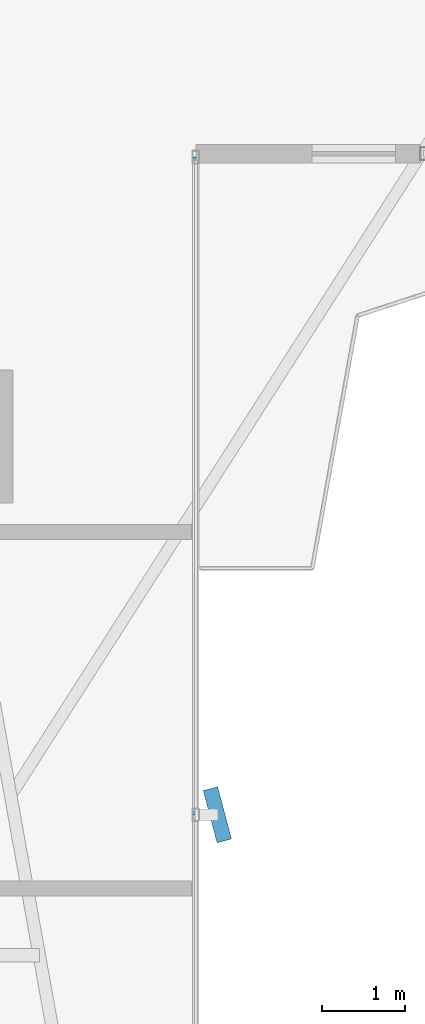
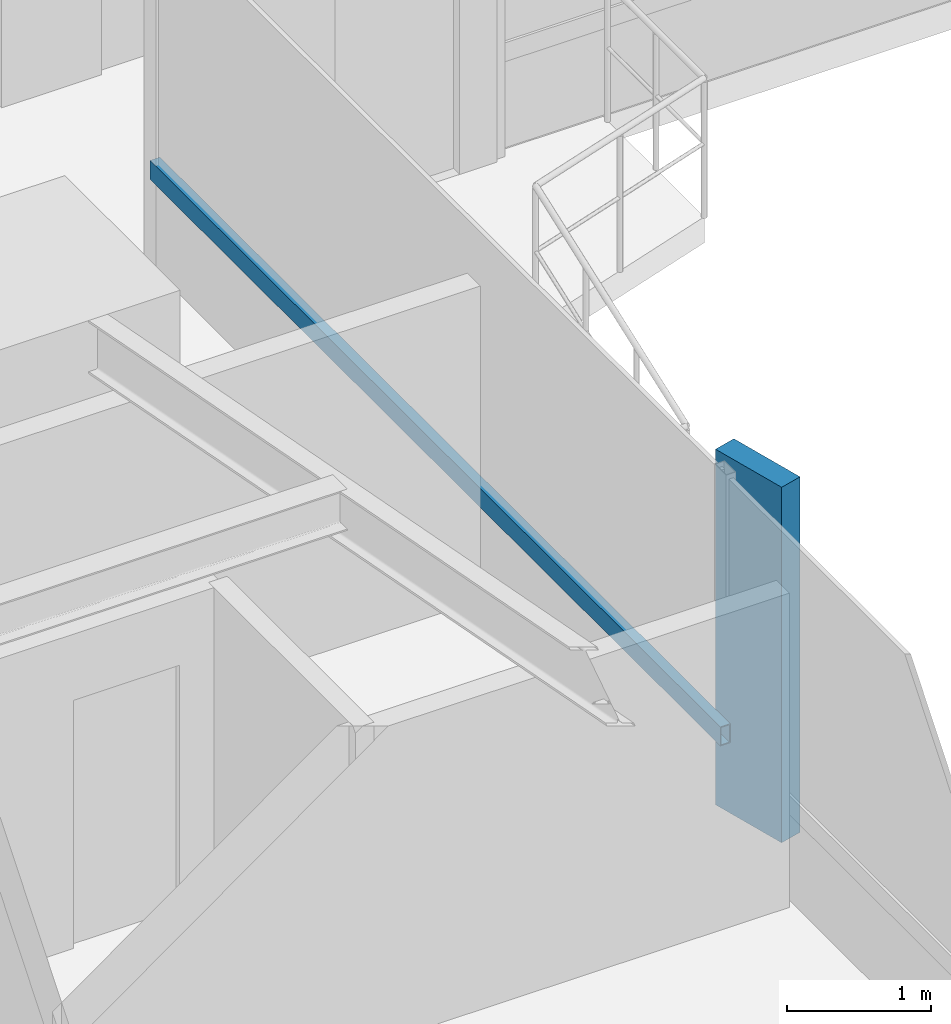
# One storey, part 5 of 25: 2 members, 1 element without a shape of its own.
"""IFC4 building model written with IfcOpenShell, lengths in metres."""

from ifc_helpers import new_model, si_unit, direction, frame, origin, origin_2d, place, context, subcontext, project, spatial, rectangle, hollow_rectangle, extrude, source, transform, mapped, material, material_profile, profile_set, type_object, element, aggregate, save


model = new_model("IFC4")

# Units and contexts
model_context = context("Model", 3, precision=1e-05, world=origin(), true_north=direction((0.0, 1.0)))
body_context = subcontext(model_context, "Body", "Model", "MODEL_VIEW")
ifc_project = project(units=[si_unit("LENGTHUNIT", "METRE"), si_unit("AREAUNIT", "SQUARE_METRE"), si_unit("VOLUMEUNIT", "CUBIC_METRE"), si_unit("PLANEANGLEUNIT", "RADIAN"), si_unit("MASSUNIT", "GRAM", prefix="KILO")], contexts=[model_context])

# Site, building, storey
site_placement = place(None, origin())
site = spatial("IfcSite", under=ifc_project, at=site_placement, CompositionType="ELEMENT")
building_placement = place(site_placement, origin())
building = spatial("IfcBuilding", under=site, at=building_placement, Name="Sahyath Konkavel Grand Hotel", CompositionType="ELEMENT")
storey_placement = place(building_placement, frame((0.0, 0.0, 64.449951171875)))
storey = spatial("IfcBuildingStorey", under=building, at=storey_placement, Name="L17", CompositionType="ELEMENT", Elevation=64.449951171875)

# Curtain wall, members
ifc_material_1 = material(Name="Anodised Bronze Aluminium & Low-E Glazing", Category="aluminium")
curtain_wall_type = type_object("IfcCurtainWallType", Name="CW-ZONE1", PredefinedType="NOTDEFINED", material=ifc_material_1)
curtain_wall_placement = place(storey_placement, origin())
curtain_wall = element("IfcCurtainWall", 1, at=curtain_wall_placement, inside=storey, type_object=curtain_wall_type, Name="L17 Unitised Curtain Wall F31", PredefinedType="NOTDEFINED")
ifc_material_2 = material(Name="Warm Buff Sandstone Cladding on Concrete C50/60", Category="masonry")
ifc_material_profile_1 = material_profile(ifc_material_2, rectangle(XDim=0.179931640625, YDim=0.64990234375, at=origin_2d()), Name="FIN 180x650")
ifc_profile_set_1 = profile_set([ifc_material_profile_1], Name="Warm Buff Sandstone Cladding on Concrete C50/60")
member_type_1 = type_object("IfcMemberType", Name="FIN-SANDSTONE-650", PredefinedType="MULLION", material=ifc_profile_set_1)
shared_shape_1 = source(origin(), body_context, "Body", "SweptSolid", [
    extrude(rectangle(XDim=0.179931640625, YDim=0.64990234375, at=origin_2d()), origin(), (0.0, 0.0, 1.0), 3.010009765625),
])
member_1_placement = place(storey_placement, frame((7.06005859375, -14.75, 0.050048828125), z_axis=(0.0, 0.0, 1.0), x_axis=(0.966420942741, 0.256964124795, 0.0)))
member_1 = element("IfcMember", 2, at=member_1_placement, type_object=member_type_1, Name="L17 Sandstone Vertical Solar Fin FIN F31-1", PredefinedType="MULLION", context=body_context, shape_type="MappedRepresentation", body=[
    mapped(shared_shape_1, transform((0.0, 0.0, 0.0), scale=1.0)),
])
ifc_material_3 = material(Name="Anodised Bronze Aluminium", Category="aluminium")
ifc_material_profile_2 = material_profile(ifc_material_3, hollow_rectangle(XDim=0.080078125, YDim=0.159912109375, WallThickness=0.006103515625, at=origin_2d()), Name="RHS 160x80x6")
ifc_profile_set_2 = profile_set([ifc_material_profile_2], Name="Anodised Bronze Aluminium")
member_type_2 = type_object("IfcMemberType", Name="CW-TRN-160", PredefinedType="USERDEFINED", material=ifc_profile_set_2)
shared_shape_2 = source(origin(), body_context, "Body", "SweptSolid", [
    extrude(hollow_rectangle(XDim=0.080078125, YDim=0.159912109375, WallThickness=0.006103515625, at=origin_2d()), origin(), (0.0, 0.0, 1.0), 7.909912109375),
])
member_2_placement = place(storey_placement, frame((6.800048828125, -14.75, 0.85009765625), z_axis=(0.0, 1.0, 0.0), x_axis=(-1.0, 0.0, 0.0)))
member_2 = element("IfcMember", 3, at=member_2_placement, type_object=member_type_2, Name="L17 Curtain Wall Transom F31-1-spandrel", ObjectType="TRANSOM", PredefinedType="USERDEFINED", context=body_context, shape_type="MappedRepresentation", body=[
    mapped(shared_shape_2, transform((0.0, 0.0, 0.0), scale=1.0)),
])
aggregate(curtain_wall, [member_1, member_2])

save(model, "model.ifc")
